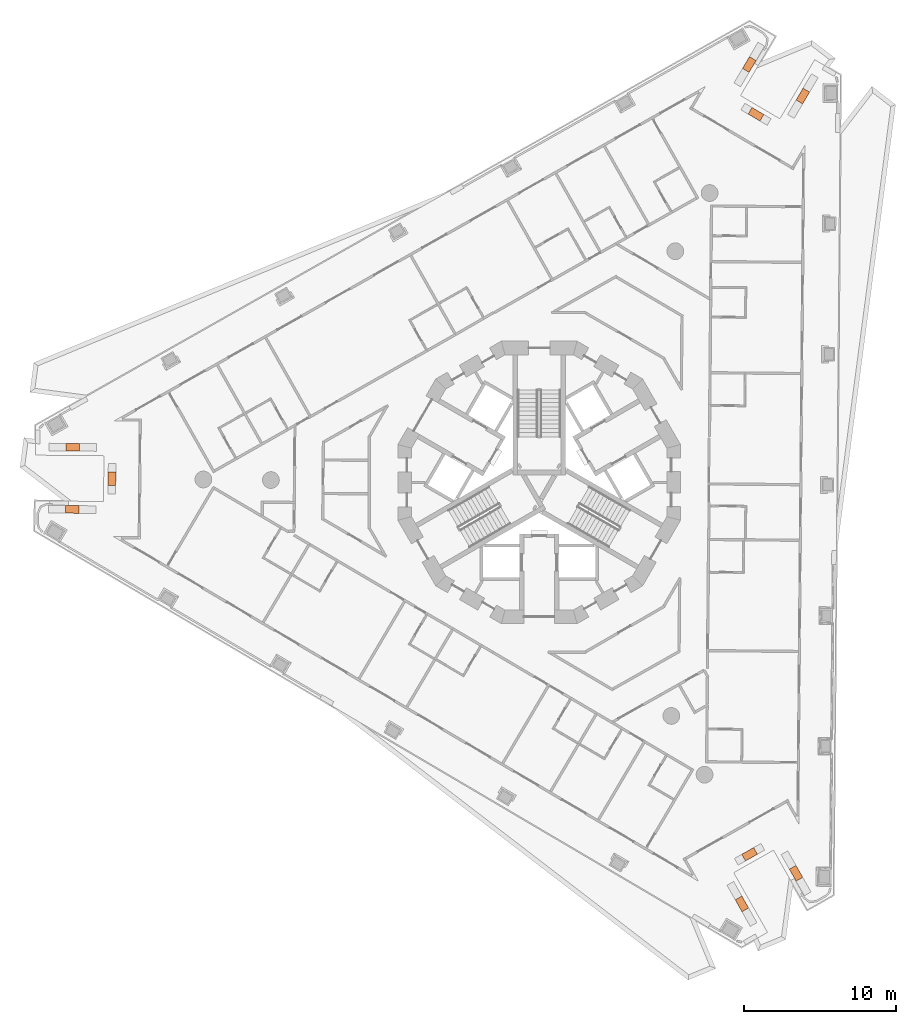
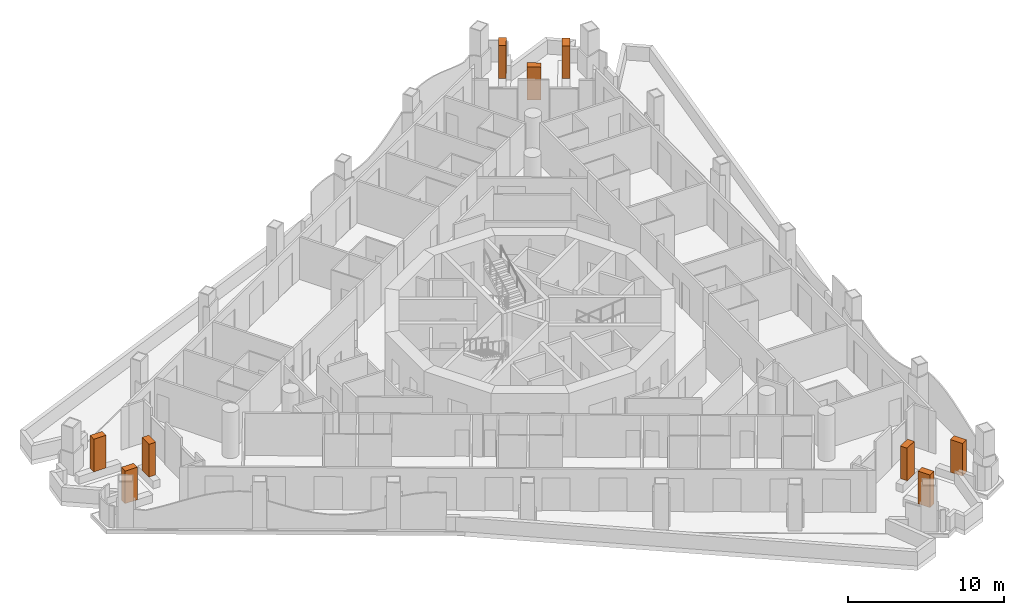
# One storey, part 18 of 18: 9 geographic elements.
"""IFC4 building model written with IfcOpenShell, lengths in metres."""

from ifc_helpers import new_model, si_unit, direction, frame, origin, origin_2d, place, context, subcontext, project, spatial, rectangle, extrude, element, save


model = new_model("IFC4")

# Units and contexts
model_context = context("Model", 3, precision=1e-05, world=origin(), true_north=direction((0.0, 1.0)))
body_context = subcontext(model_context, "Body", "Model", "MODEL_VIEW")
ifc_project = project(units=[si_unit("LENGTHUNIT", "METRE"), si_unit("AREAUNIT", "SQUARE_METRE"), si_unit("VOLUMEUNIT", "CUBIC_METRE"), si_unit("PLANEANGLEUNIT", "RADIAN"), si_unit("MASSUNIT", "GRAM", prefix="KILO")], contexts=[model_context])

# Site, building, storey
site_placement = place(None, origin())
site = spatial("IfcSite", under=ifc_project, at=site_placement, CompositionType="ELEMENT")
building_placement = place(site_placement, origin())
building = spatial("IfcBuilding", under=site, at=building_placement, Name="Trine Commons Tower", CompositionType="ELEMENT")
storey_placement = place(building_placement, frame((0.0, 0.0, 161.10009765625)))
storey = spatial("IfcBuildingStorey", under=building, at=storey_placement, Name="L41", CompositionType="ELEMENT", Elevation=161.10009765625)

# Geographic elements
for number, where, z_axis, x_axis, name in (
    (1, (49.3583984375, 60.727294921875, 0.60009765625), (0.0, 0.0, 1.0), (0.999961923064, -0.008726535498, 0.0), "Tree 1.1"),
    (2, (51.966064453125, 62.74462890625, 0.60009765625), (0.0, 0.0, 1.0), (0.008726535498, 0.999961923064, 0.0), "Tree 2.1"),
    (3, (49.393798828125, 64.80712890625, 0.60009765625), (0.0, 0.0, 1.0), (-0.999961923064, 0.008726535498, 0.0), "Tree 3.1"),
    (4, (93.78564453125, 89.9228515625, 0.60009765625), (0.0, 0.0, 1.0), (-0.507539866787, -0.861628274619, 0.0), "Tree 4.1"),
    (5, (94.228759765625, 86.65576171875, 0.60009765625), (0.0, 0.0, 1.0), (0.861628274619, -0.507539866787, 0.0), "Tree 5.1"),
    (6, (97.301025390625, 87.85205078125, 0.60009765625), (0.0, 0.0, 1.0), (0.507539866787, 0.861628274619, 0.0), "Tree 6.1"),
    (7, (96.85595703125, 36.849853515625, 0.60009765625), (0.0, 0.0, 1.0), (-0.492420521986, 0.870357414817, 0.0), "Tree 7.1"),
    (8, (93.80517578125, 38.099609375, 0.60009765625), (0.0, 0.0, 1.0), (-0.870333349571, -0.492463055085, 0.0), "Tree 8.1"),
    (9, (93.304931640625, 34.8408203125, 0.60009765625), (0.0, 0.0, 1.0), (0.492420521986, -0.870357414817, 0.0), "Tree 9.1"),
):
    element("IfcGeographicElement", number, at=place(storey_placement, frame(where, z_axis=z_axis, x_axis=x_axis)), inside=storey, Name=name, ObjectType="TREE Tabebuia rosea", PredefinedType="USERDEFINED", context=body_context, shape_type="SweptSolid", body=[
        extrude(rectangle(XDim=0.89990234375, YDim=0.5, at=origin_2d()), origin(), (0.0, 0.0, 1.0), 2.550048828125),
    ])

save(model, "model.ifc")
